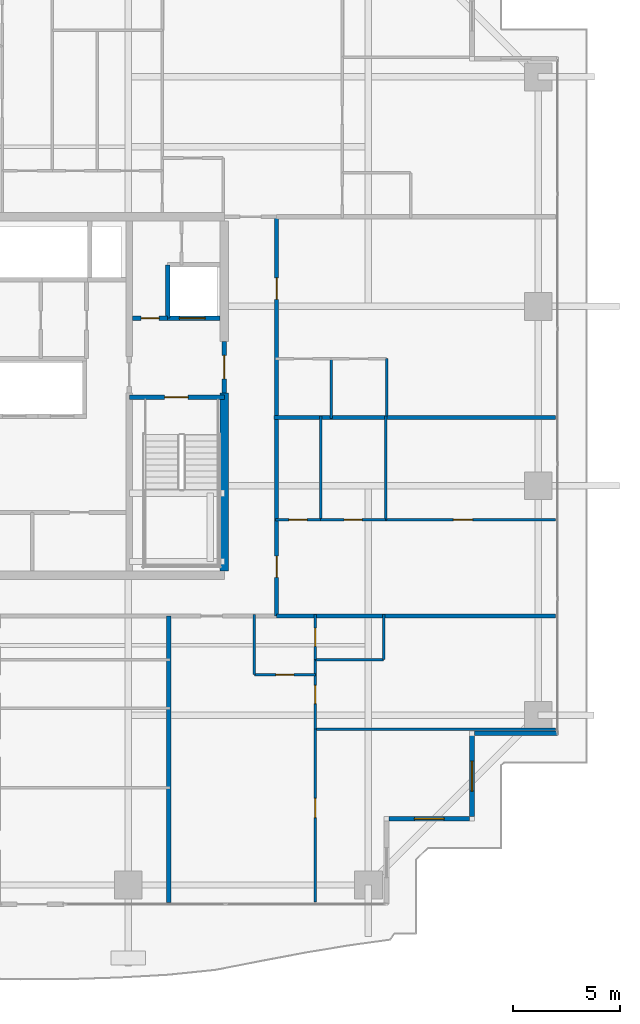
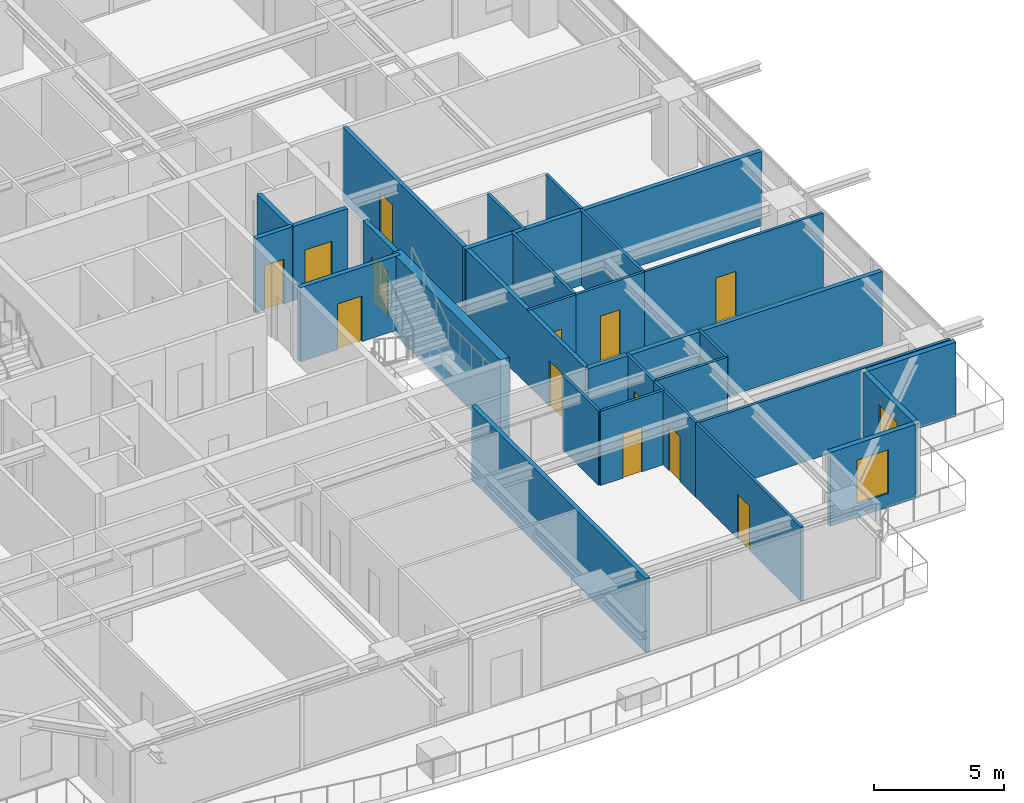
# One storey, part 25 of 35: 28 walls, 13 doors, 2 windows, 15 openings.
"""IFC4 building model written with IfcOpenShell, lengths in metres."""

import ifcopenshell
import ifcopenshell.guid

model = None  # the IFC model being written
_history = None  # IfcOwnerHistory: only IFC2X3 demands one
_inside = {}  # id of a spatial element -> (the spatial element, [elements in it])
_under = {}  # id of a project, library or spatial element -> (it, [spatial elements below it])
_declared = {}  # id of a project -> (the project, [libraries it declares])
_typed = {}  # id of a type object -> (the type object, [elements of that type])
_made_of = {}  # id of a material, layer set ... -> (it, [elements and type objects made of it])


def new_model(schema):
    """Start an empty IFC model of exactly this schema.

    Asked for "IFC4X3", IfcOpenShell would pick the latest addendum, in which some entities
    have other attributes; the version numbers below select the first issue.
    IFC2X3 requires an IfcOwnerHistory on every rooted entity: one is made here for all.
    """
    global model, _history
    if schema == "IFC4X3":
        model = ifcopenshell.file(schema_version=(4, 3, 0, 0))
    else:
        model = ifcopenshell.file(schema=schema)
    _inside.clear()
    _under.clear()
    _declared.clear()
    _typed.clear()
    _made_of.clear()
    _history = None
    if model.schema == "IFC2X3":
        org = make("IfcOrganization", Name="unknown")
        user = make(
            "IfcPersonAndOrganization",
            ThePerson=make("IfcPerson", FamilyName="unknown"),
            TheOrganization=org,
        )
        app = make(
            "IfcApplication",
            ApplicationDeveloper=org,
            Version="unknown",
            ApplicationFullName="unknown",
            ApplicationIdentifier="unknown",
        )
        _history = make(
            "IfcOwnerHistory",
            OwningUser=user,
            OwningApplication=app,
            ChangeAction="ADDED",
            CreationDate=0,
        )
    return model


def make(cls, **values):
    """One entity of the class cls with the attributes given. An attribute that is None is left unset."""
    return model.create_entity(
        cls, **{name: value for name, value in values.items() if value is not None}
    )


def rooted(cls, **values):
    """An entity with a GlobalId (a new one), such as an element, a storey or a relation."""
    return make(cls, GlobalId=ifcopenshell.guid.new(), OwnerHistory=_history, **values)


def si_unit(unit_type, name, prefix=None):
    """IfcSIUnit, for example si_unit("LENGTHUNIT", "METRE", prefix="MILLI")."""
    return make("IfcSIUnit", UnitType=unit_type, Prefix=prefix, Name=name)


def assignment(units):
    """IfcUnitAssignment: the units of a project."""
    return None if units is None else make("IfcUnitAssignment", Units=units)


def point(xyz):
    """IfcCartesianPoint."""
    return None if xyz is None else make("IfcCartesianPoint", Coordinates=xyz)


def direction(xyz):
    """IfcDirection."""
    return None if xyz is None else make("IfcDirection", DirectionRatios=xyz)


def frame(location, z_axis=None, x_axis=None):
    """IfcAxis2Placement3D, a coordinate frame: its origin and axes. An axis left out is left unset."""
    return make(
        "IfcAxis2Placement3D",
        Location=point(location),
        Axis=direction(z_axis),
        RefDirection=direction(x_axis),
    )


def frame_2d(location, x_axis=None):
    """IfcAxis2Placement2D, a coordinate frame in the plane: its origin and x axis."""
    return make(
        "IfcAxis2Placement2D", Location=point(location), RefDirection=direction(x_axis)
    )


def origin():
    """The frame at (0, 0, 0) with its axes left unset."""
    return frame((0.0, 0.0, 0.0))


def place(relative_to, where):
    """IfcLocalPlacement: puts the frame where relative to a parent placement (None: the world)."""
    return make(
        "IfcLocalPlacement", PlacementRelTo=relative_to, RelativePlacement=where
    )


def context(
    kind, dimensions, precision=None, world=None, true_north=None, identifier=None
):
    """IfcGeometricRepresentationContext, for example the 3D "Model" context."""
    return make(
        "IfcGeometricRepresentationContext",
        ContextIdentifier=identifier,
        ContextType=kind,
        CoordinateSpaceDimension=dimensions,
        Precision=precision,
        WorldCoordinateSystem=world,
        TrueNorth=true_north,
    )


def subcontext(parent, identifier, kind, view, scale=None):
    """IfcGeometricRepresentationSubContext, for example "Body" below "Model"."""
    return make(
        "IfcGeometricRepresentationSubContext",
        ContextIdentifier=identifier,
        ContextType=kind,
        ParentContext=parent,
        TargetScale=scale,
        TargetView=view,
    )


def project(units=None, contexts=None):
    """IfcProject with its units and contexts."""
    return rooted(
        "IfcProject",
        Name="project",
        RepresentationContexts=contexts,
        UnitsInContext=assignment(units),
    )


def spatial(cls, under=None, at=None, **own):
    """A site, building, storey or space (cls), placed at a placement, below another one or the project."""
    s = rooted(cls, ObjectPlacement=at, **own)
    if under is not None:
        _under.setdefault(under.id(), (under, []))[1].append(s)
    return s


def profile(cls, at=None, kind="AREA", **sizes):
    """A parametric profile (cls). Its sizes go by their IFC names, for example OverallWidth=200.0."""
    return make(cls, ProfileType=kind, Position=at, **sizes)


def rectangle(**sizes):
    """IfcRectangleProfileDef."""
    return profile("IfcRectangleProfileDef", **sizes)


def extrude(swept, where, along, depth):
    """IfcExtrudedAreaSolid: the profile swept, set in the frame where, extruded along a direction by depth."""
    return make(
        "IfcExtrudedAreaSolid",
        SweptArea=swept,
        Position=where,
        ExtrudedDirection=direction(along),
        Depth=depth,
    )


def shape(context_of_items, identifier, shape_type, items):
    """IfcShapeRepresentation: the items that make up one representation, for example the "Body"."""
    return make(
        "IfcShapeRepresentation",
        ContextOfItems=context_of_items,
        RepresentationIdentifier=identifier,
        RepresentationType=shape_type,
        Items=items,
    )


def source(mapping_origin, context_of_items, identifier, shape_type, items):
    """IfcRepresentationMap: a shape defined once, which mapped items show again and again."""
    return make(
        "IfcRepresentationMap",
        MappingOrigin=mapping_origin,
        MappedRepresentation=shape(context_of_items, identifier, shape_type, items),
    )


def transform(
    local_origin,
    x_axis=None,
    y_axis=None,
    z_axis=None,
    scale=None,
    scale2=None,
    scale3=None,
    uniform=True,
):
    """IfcCartesianTransformationOperator3D, or its non-uniform kind. x_axis, y_axis, z_axis: its Axis1, 2, 3."""
    if uniform:
        return make(
            "IfcCartesianTransformationOperator3D",
            Axis1=direction(x_axis),
            Axis2=direction(y_axis),
            LocalOrigin=point(local_origin),
            Scale=scale,
            Axis3=direction(z_axis),
        )
    return make(
        "IfcCartesianTransformationOperator3DnonUniform",
        Axis1=direction(x_axis),
        Axis2=direction(y_axis),
        LocalOrigin=point(local_origin),
        Scale=scale,
        Axis3=direction(z_axis),
        Scale2=scale2,
        Scale3=scale3,
    )


def mapped(mapping_source, mapping_target):
    """IfcMappedItem: shows the shape of a source again, moved by a transform."""
    return make(
        "IfcMappedItem", MappingSource=mapping_source, MappingTarget=mapping_target
    )


def material(Name=None, Category=None):
    """IfcMaterial."""
    return make("IfcMaterial", Name=Name, Category=Category)


def layer(
    of_material, thickness, ventilated=None, Name=None, Category=None, Priority=None
):
    """IfcMaterialLayer: one layer of a wall or slab, of a material (None: an air gap)."""
    return make(
        "IfcMaterialLayer",
        Material=of_material,
        LayerThickness=thickness,
        IsVentilated=ventilated,
        Name=Name,
        Category=Category,
        Priority=Priority,
    )


def layer_set(layers, Name=None):
    """IfcMaterialLayerSet."""
    return make("IfcMaterialLayerSet", MaterialLayers=layers, LayerSetName=Name)


def made_of(thing, what):
    """Note that an element or type object is made of a material, layer set ...; save() writes the relation."""
    if what is not None:
        _made_of.setdefault(what.id(), (what, []))[1].append(thing)
    return thing


def type_object(cls, material=None, **own):
    """A type object (cls), such as IfcWallType, which elements share."""
    return made_of(rooted(cls, **own), material)


def element(
    cls,
    number,
    at=None,
    inside=None,
    cuts=None,
    type_object=None,
    material=None,
    context=None,
    identifier="Body",
    shape_type=None,
    held_by="IfcProductDefinitionShape",
    body=None,
    shapes=None,
    **own,
):
    """One element of the class cls, such as IfcWall. Its Tag is "e" and its number.

    at: its placement. inside: the storey or other place that contains it. cuts: it is an
    opening in that element (IfcRelVoidsElement). A single representation is given by context,
    identifier, shape_type and body (its items); several are given by shapes. held_by: the class
    of the entity that holds the representations. save() writes the other relations.
    """
    e = rooted(cls, Tag="e%d" % number, ObjectPlacement=at, **own)
    if body is not None:
        shapes = [shape(context, identifier, shape_type, body)]
    if shapes is not None:
        e.Representation = make(held_by, Representations=shapes)
    if inside is not None:
        _inside.setdefault(inside.id(), (inside, []))[1].append(e)
    if cuts is not None:
        rooted(
            "IfcRelVoidsElement", RelatingBuildingElement=cuts, RelatedOpeningElement=e
        )
    if type_object is not None:
        _typed.setdefault(type_object.id(), (type_object, []))[1].append(e)
    return made_of(e, material)


def fill(opening, filler):
    """IfcRelFillsElement: the door or window that sits in an opening."""
    return rooted(
        "IfcRelFillsElement",
        RelatingOpeningElement=opening,
        RelatedBuildingElement=filler,
    )


def aggregate(whole, parts):
    """IfcRelAggregates: a whole, such as a stair, and the parts it consists of."""
    return rooted("IfcRelAggregates", RelatingObject=whole, RelatedObjects=parts)


def save(model, path):
    """Write the relations noted so far, then the file.

    IfcRelAggregates (storeys below a building ...), IfcRelContainedInSpatialStructure (elements
    in a storey), IfcRelDefinesByType, IfcRelAssociatesMaterial and IfcRelDeclares: one each for
    every whole, place, type object, material and project.
    """
    for whole, parts in _under.values():
        aggregate(whole, parts)
    for where, things in _inside.values():
        rooted(
            "IfcRelContainedInSpatialStructure",
            RelatedElements=things,
            RelatingStructure=where,
        )
    for kind, things in _typed.values():
        rooted("IfcRelDefinesByType", RelatedObjects=things, RelatingType=kind)
    for what, things in _made_of.values():
        rooted("IfcRelAssociatesMaterial", RelatedObjects=things, RelatingMaterial=what)
    for by, libraries in _declared.values():
        rooted("IfcRelDeclares", RelatingContext=by, RelatedDefinitions=libraries)
    model.write(path)


model = new_model("IFC4")

# Units and contexts
model_context = context("Model", 3, precision=1e-05, world=origin(), true_north=direction((0.0, 1.0)))
body_context = subcontext(model_context, "Body", "Model", "MODEL_VIEW")
ifc_project = project(units=[si_unit("LENGTHUNIT", "METRE"), si_unit("AREAUNIT", "SQUARE_METRE"), si_unit("VOLUMEUNIT", "CUBIC_METRE"), si_unit("PLANEANGLEUNIT", "RADIAN"), si_unit("MASSUNIT", "GRAM", prefix="KILO")], contexts=[model_context])

# Site, building, storey
site_placement = place(None, origin())
site = spatial("IfcSite", under=ifc_project, at=site_placement, CompositionType="ELEMENT")
building_placement = place(site_placement, origin())
building = spatial("IfcBuilding", under=site, at=building_placement, Name="Serunith Strait Residences", CompositionType="ELEMENT")
storey_placement = place(building_placement, frame((0.0, 0.0, 157.64990234375)))
storey = spatial("IfcBuildingStorey", under=building, at=storey_placement, Name="L39", CompositionType="ELEMENT", Elevation=157.64990234375)

# Wall, opening, window
ifc_material_1 = material(Name="Pale-Champagne Aluminium Insulated Panel", Category="aluminium")
ifc_layer_1 = layer(ifc_material_1, 0.219970703125, Name="Pale-Champagne Aluminium Insulated Panel")
ifc_layer_set_1 = layer_set([ifc_layer_1], Name="Pale-Champagne Aluminium Insulated Panel")
wall_type_1 = type_object("IfcWallType", Name="EW-ALUM-220", PredefinedType="ELEMENTEDWALL", material=ifc_layer_set_1)
wall_1_placement = place(storey_placement, frame((49.110107421875, 5.39990234375, 0.0), z_axis=(0.0, 0.0, 1.0), x_axis=(1.0, 0.0, 0.0)))
wall_1 = element("IfcWall", 1, at=wall_1_placement, inside=storey, type_object=wall_type_1, Name="L39 Girih Serrated Corner Wall 03", PredefinedType="ELEMENTEDWALL", context=body_context, shape_type="SweptSolid", body=[
    extrude(rectangle(XDim=3.77978515625, YDim=0.219970703125, at=frame_2d((1.889892578125, 0.0))), origin(), (0.0, 0.0, 1.0), 3.47509765625),
])
opening_1_placement = place(wall_1_placement, frame((1.18994140625, 0.0, 0.64990234375)))
opening_1 = element("IfcOpeningElement", 2, at=opening_1_placement, cuts=wall_1, Name="Opening W-03", PredefinedType="OPENING", context=body_context, shape_type="SweptSolid", body=[
    extrude(rectangle(XDim=1.39990234375, YDim=2.050048828125, at=frame_2d((0.699951171875, 1.02490234375))), frame((0.0, 0.1201171875, 0.0), z_axis=(0.0, -1.0, 0.0), x_axis=(1.0, 0.0, 0.0)), (0.0, 0.0, 1.0), 0.239990234375),
])
ifc_material_2 = material(Name="Ceramic-Fritted Operable Aluminium Window Glass", Category="aluminium")
window_type = type_object("IfcWindowType", Name="WIN-C3", PartitioningType="SINGLE_PANEL", PredefinedType="WINDOW", material=ifc_material_2)
shared_shape_1 = source(origin(), body_context, "Body", "SweptSolid", [
    extrude(rectangle(XDim=1.39990234375, YDim=2.050048828125, at=frame_2d((0.699951171875, 1.02490234375))), frame((0.0, 0.030029296875, 0.0), z_axis=(0.0, -1.0, 0.0), x_axis=(1.0, 0.0, 0.0)), (0.0, 0.0, 1.0), 0.06005859375),
])
window_1_placement = place(opening_1_placement, origin())
window_1 = element("IfcWindow", 3, at=window_1_placement, inside=storey, type_object=window_type, Name="L39 Corner Operable Fritted Window 03", OverallHeight=2.050048828125, OverallWidth=1.39990234375, PartitioningType="SINGLE_PANEL", PredefinedType="WINDOW", context=body_context, shape_type="MappedRepresentation", body=[
    mapped(shared_shape_1, transform((0.0, 0.0, 0.0), scale=1.0)),
])
fill(opening_1, window_1)

wall_2_placement = place(storey_placement, frame((53.0, 5.510009765625, 0.0), z_axis=(0.0, 0.0, 1.0), x_axis=(0.0, 1.0, 0.0)))
wall_2 = element("IfcWall", 4, at=wall_2_placement, inside=storey, type_object=wall_type_1, Name="L39 Girih Serrated Corner Wall 04", PredefinedType="ELEMENTEDWALL", context=body_context, shape_type="SweptSolid", body=[
    extrude(rectangle(XDim=3.780029296875, YDim=0.219970703125, at=frame_2d((1.89013671875, 0.0))), origin(), (0.0, 0.0, 1.0), 3.47509765625),
])
opening_2_placement = place(wall_2_placement, frame((1.18994140625, 0.0, 0.64990234375)))
opening_2 = element("IfcOpeningElement", 5, at=opening_2_placement, cuts=wall_2, Name="Opening W-03", PredefinedType="OPENING", context=body_context, shape_type="SweptSolid", body=[
    extrude(rectangle(XDim=1.39990234375, YDim=2.050048828125, at=frame_2d((0.699951171875, 1.02490234375))), frame((0.0, 0.1201171875, 0.0), z_axis=(0.0, -1.0, 0.0), x_axis=(1.0, 0.0, 0.0)), (0.0, 0.0, 1.0), 0.239990234375),
])
window_2_placement = place(opening_2_placement, origin())
window_2 = element("IfcWindow", 6, at=window_2_placement, inside=storey, type_object=window_type, Name="L39 Corner Operable Fritted Window 04", OverallHeight=2.050048828125, OverallWidth=1.39990234375, PartitioningType="SINGLE_PANEL", PredefinedType="WINDOW", context=body_context, shape_type="MappedRepresentation", body=[
    mapped(shared_shape_1, transform((0.0, 0.0, 0.0), scale=1.0)),
])
fill(opening_2, window_2)

# Wall
wall_3_placement = place(storey_placement, frame((53.110107421875, 9.39990234375, 0.0), z_axis=(0.0, 0.0, 1.0), x_axis=(1.0, 0.0, 0.0)))
element("IfcWall", 7, at=wall_3_placement, inside=storey, type_object=wall_type_1, Name="L39 Girih Serrated Corner Wall 05", PredefinedType="ELEMENTEDWALL", context=body_context, shape_type="SweptSolid", body=[
    extrude(rectangle(XDim=3.889892578125, YDim=0.219970703125, at=frame_2d((1.94482421875, 0.0))), origin(), (0.0, 0.0, 1.0), 3.47509765625),
])

# Wall, openings, doors
ifc_material_3 = material(Name="Fire-rated acoustic gypsum partition")
ifc_layer_2 = layer(ifc_material_3, 0.179931640625, Name="Fire-rated acoustic gypsum partition")
ifc_layer_set_2 = layer_set([ifc_layer_2], Name="Fire-rated acoustic gypsum partition")
wall_type_2 = type_object("IfcWallType", Name="IW-CORR-180", PredefinedType="PARTITIONING", material=ifc_layer_set_2)
wall_4_placement = place(storey_placement, frame((43.85009765625, 14.89990234375, 0.0), z_axis=(0.0, 0.0, 1.0), x_axis=(0.0, 1.0, 0.0)))
wall_4 = element("IfcWall", 8, at=wall_4_placement, inside=storey, type_object=wall_type_2, Name="L39 Partition Wall 029", PredefinedType="PARTITIONING", context=body_context, shape_type="SweptSolid", body=[
    extrude(rectangle(XDim=18.7001953125, YDim=0.179931640625, at=frame_2d((9.35009765625, 0.0))), origin(), (0.0, 0.0, 1.0), 3.489990234375),
])
opening_3_placement = place(wall_4_placement, frame((1.804931640625, 0.0, 0.0)))
opening_3 = element("IfcOpeningElement", 9, at=opening_3_placement, cuts=wall_4, Name="Opening D-APT1000", PredefinedType="OPENING", context=body_context, shape_type="SweptSolid", body=[
    extrude(rectangle(XDim=1.0, YDim=2.14990234375, at=frame_2d((0.5, 1.074951171875))), frame((0.0, 0.10009765625, 0.0), z_axis=(0.0, -1.0, 0.0), x_axis=(1.0, 0.0, 0.0)), (0.0, 0.0, 1.0), 0.199951171875),
])
opening_4_placement = place(wall_4_placement, frame((14.8330078125, 0.0, 0.0)))
opening_4 = element("IfcOpeningElement", 10, at=opening_4_placement, cuts=wall_4, Name="Opening D-APT1000", PredefinedType="OPENING", context=body_context, shape_type="SweptSolid", body=[
    extrude(rectangle(XDim=1.0, YDim=2.14990234375, at=frame_2d((0.5, 1.074951171875))), frame((0.0, 0.10009765625, 0.0), z_axis=(0.0, -1.0, 0.0), x_axis=(1.0, 0.0, 0.0)), (0.0, 0.0, 1.0), 0.199951171875),
])
ifc_material_4 = material(Name="Solid timber engineered fire door", Category="wood")
door_type_1 = type_object("IfcDoorType", Name="ID-APT-1000", OperationType="NOTDEFINED", PredefinedType="DOOR", material=ifc_material_4)
shared_shape_2 = source(origin(), body_context, "Body", "SweptSolid", [
    extrude(rectangle(XDim=1.0, YDim=2.14990234375, at=frame_2d((0.5, 1.074951171875))), frame((0.0, 0.02490234375, 0.0), z_axis=(0.0, -1.0, 0.0), x_axis=(1.0, 0.0, 0.0)), (0.0, 0.0, 1.0), 0.050048828125),
])
door_1_placement = place(opening_3_placement, origin())
door_1 = element("IfcDoor", 11, at=door_1_placement, inside=storey, type_object=door_type_1, Name="L39 Unit 06 Entrance Door", OperationType="SINGLE_SWING_RIGHT", OverallHeight=2.14990234375, OverallWidth=1.0, PredefinedType="DOOR", context=body_context, shape_type="MappedRepresentation", body=[
    mapped(shared_shape_2, transform((0.0, 0.0, 0.0), scale=1.0)),
])
fill(opening_3, door_1)
door_2_placement = place(opening_4_placement, origin())
door_2 = element("IfcDoor", 12, at=door_2_placement, inside=storey, type_object=door_type_1, Name="L39 Unit 07 Entrance Door", OperationType="SINGLE_SWING_LEFT", OverallHeight=2.14990234375, OverallWidth=1.0, PredefinedType="DOOR", context=body_context, shape_type="MappedRepresentation", body=[
    mapped(shared_shape_2, transform((0.0, 0.0, 0.0), scale=1.0)),
])
fill(opening_4, door_2)

# Wall, opening, door
ifc_material_5 = material(Name="Lightweight steel-stud gypsum partition", Category="steel")
ifc_layer_3 = layer(ifc_material_5, 0.1201171875, Name="Lightweight steel-stud gypsum partition")
ifc_layer_set_3 = layer_set([ifc_layer_3], Name="Lightweight steel-stud gypsum partition")
wall_type_3 = type_object("IfcWallType", Name="IW-PART-120", PredefinedType="PARTITIONING", material=ifc_layer_set_3)
wall_5_placement = place(storey_placement, frame((42.81005859375, 12.14990234375, 0.0), z_axis=(0.0, 0.0, 1.0), x_axis=(1.0, 0.0, 0.0)))
wall_5 = element("IfcWall", 13, at=wall_5_placement, inside=storey, type_object=wall_type_3, Name="L39 Partition Wall 047", PredefinedType="PARTITIONING", context=body_context, shape_type="SweptSolid", body=[
    extrude(rectangle(XDim=2.849853515625, YDim=0.1201171875, at=frame_2d((1.4248046875, 0.0))), origin(), (0.0, 0.0, 1.0), 3.489990234375),
])
opening_5_placement = place(wall_5_placement, frame((1.0, 0.0, 0.0)))
opening_5 = element("IfcOpeningElement", 14, at=opening_5_placement, cuts=wall_5, Name="Opening D-RM850", PredefinedType="OPENING", context=body_context, shape_type="SweptSolid", body=[
    extrude(rectangle(XDim=0.85009765625, YDim=2.10009765625, at=frame_2d((0.425048828125, 1.050048828125))), frame((0.0, 0.070068359375, 0.0), z_axis=(0.0, -1.0, 0.0), x_axis=(1.0, 0.0, 0.0)), (0.0, 0.0, 1.0), 0.14013671875),
])
ifc_material_6 = material(Name="Engineered timber flush study and kitchen door", Category="wood")
door_type_2 = type_object("IfcDoorType", Name="ID-ROOM-850", OperationType="NOTDEFINED", PredefinedType="DOOR", material=ifc_material_6)
shared_shape_3 = source(origin(), body_context, "Body", "SweptSolid", [
    extrude(rectangle(XDim=0.85009765625, YDim=2.10009765625, at=frame_2d((0.425048828125, 1.050048828125))), frame((0.0, 0.02490234375, 0.0), z_axis=(0.0, -1.0, 0.0), x_axis=(1.0, 0.0, 0.0)), (0.0, 0.0, 1.0), 0.050048828125),
])
door_3_placement = place(opening_5_placement, origin())
door_3 = element("IfcDoor", 15, at=door_3_placement, inside=storey, type_object=door_type_2, Name="L39 Kitchen 3903 Door", OperationType="SINGLE_SWING_LEFT", OverallHeight=2.10009765625, OverallWidth=0.85009765625, PredefinedType="DOOR", context=body_context, shape_type="MappedRepresentation", body=[
    mapped(shared_shape_3, transform((0.0, 0.0, 0.0), scale=1.0)),
])
fill(opening_5, door_3)

# Wall
wall_6_placement = place(storey_placement, frame((42.81005859375, 12.14990234375, 0.0), z_axis=(0.0, 0.0, 1.0), x_axis=(0.0, 1.0, 0.0)))
element("IfcWall", 16, at=wall_6_placement, inside=storey, type_object=wall_type_3, Name="L39 Partition Wall 048", PredefinedType="PARTITIONING", context=body_context, shape_type="SweptSolid", body=[
    extrude(rectangle(XDim=2.81005859375, YDim=0.1201171875, at=frame_2d((1.405029296875, 0.0))), origin(), (0.0, 0.0, 1.0), 3.489990234375),
])

# Wall, opening, door
wall_7_placement = place(storey_placement, frame((45.659912109375, 1.4951171875, 0.0), z_axis=(0.0, 0.0, 1.0), x_axis=(0.0, 1.0, 0.0)))
wall_7 = element("IfcWall", 17, at=wall_7_placement, inside=storey, type_object=wall_type_3, Name="L39 Partition Wall 049", PredefinedType="PARTITIONING", context=body_context, shape_type="SweptSolid", body=[
    extrude(rectangle(XDim=8.102783203125, YDim=0.1201171875, at=frame_2d((4.05126953125, 0.0))), origin(), (0.0, 0.0, 1.0), 3.489990234375),
])
opening_6_placement = place(wall_7_placement, frame((3.9619140625, 0.0, 0.0)))
opening_6 = element("IfcOpeningElement", 18, at=opening_6_placement, cuts=wall_7, Name="Opening D-RM900", PredefinedType="OPENING", context=body_context, shape_type="SweptSolid", body=[
    extrude(rectangle(XDim=0.89990234375, YDim=2.10009765625, at=frame_2d((0.449951171875, 1.050048828125))), frame((0.0, 0.070068359375, 0.0), z_axis=(0.0, -1.0, 0.0), x_axis=(1.0, 0.0, 0.0)), (0.0, 0.0, 1.0), 0.14013671875),
])
ifc_material_7 = material(Name="Engineered timber flush bedroom door", Category="wood")
door_type_3 = type_object("IfcDoorType", Name="ID-ROOM-900", OperationType="NOTDEFINED", PredefinedType="DOOR", material=ifc_material_7)
shared_shape_4 = source(origin(), body_context, "Body", "SweptSolid", [
    extrude(rectangle(XDim=0.89990234375, YDim=2.10009765625, at=frame_2d((0.449951171875, 1.050048828125))), frame((0.0, 0.02490234375, 0.0), z_axis=(0.0, -1.0, 0.0), x_axis=(1.0, 0.0, 0.0)), (0.0, 0.0, 1.0), 0.050048828125),
])
door_4_placement = place(opening_6_placement, origin())
door_4 = element("IfcDoor", 19, at=door_4_placement, inside=storey, type_object=door_type_3, Name="L39 Master Bedroom 1 3903 Door", OperationType="SINGLE_SWING_RIGHT", OverallHeight=2.10009765625, OverallWidth=0.89990234375, PredefinedType="DOOR", context=body_context, shape_type="MappedRepresentation", body=[
    mapped(shared_shape_4, transform((0.0, 0.0, 0.0), scale=1.0)),
])
fill(opening_6, door_4)

# Walls
wall_8_placement = place(storey_placement, frame((45.659912109375, 9.597900390625, 0.0), z_axis=(0.0, 0.0, 1.0), x_axis=(1.0, 0.0, 0.0)))
element("IfcWall", 20, at=wall_8_placement, inside=storey, type_object=wall_type_3, Name="L39 Partition Wall 050", PredefinedType="PARTITIONING", context=body_context, shape_type="SweptSolid", body=[
    extrude(rectangle(XDim=11.2451171875, YDim=0.1201171875, at=frame_2d((5.62255859375, 0.0))), origin(), (0.0, 0.0, 1.0), 3.489990234375),
])
wall_9_placement = place(storey_placement, frame((45.659912109375, 12.85009765625, 0.0), z_axis=(0.0, 0.0, 1.0), x_axis=(1.0, 0.0, 0.0)))
element("IfcWall", 21, at=wall_9_placement, inside=storey, type_object=wall_type_3, Name="L39 Partition Wall 051", PredefinedType="PARTITIONING", context=body_context, shape_type="SweptSolid", body=[
    extrude(rectangle(XDim=3.2001953125, YDim=0.1201171875, at=frame_2d((1.60009765625, 0.0))), origin(), (0.0, 0.0, 1.0), 3.489990234375),
])
wall_10_placement = place(storey_placement, frame((48.860107421875, 12.85009765625, 0.0), z_axis=(0.0, 0.0, 1.0), x_axis=(0.0, 1.0, 0.0)))
element("IfcWall", 22, at=wall_10_placement, inside=storey, type_object=wall_type_3, Name="L39 Partition Wall 052", PredefinedType="PARTITIONING", context=body_context, shape_type="SweptSolid", body=[
    extrude(rectangle(XDim=2.10986328125, YDim=0.1201171875, at=frame_2d((1.054931640625, 0.0))), origin(), (0.0, 0.0, 1.0), 3.489990234375),
])

# Wall, opening, door
wall_11_placement = place(storey_placement, frame((45.659912109375, 9.60009765625, 0.0), z_axis=(0.0, 0.0, 1.0), x_axis=(0.0, 1.0, 0.0)))
wall_11 = element("IfcWall", 23, at=wall_11_placement, inside=storey, type_object=wall_type_3, Name="L39 Partition Wall 053", PredefinedType="PARTITIONING", context=body_context, shape_type="SweptSolid", body=[
    extrude(rectangle(XDim=3.25, YDim=0.1201171875, at=frame_2d((1.625, 0.0))), origin(), (0.0, 0.0, 1.0), 3.489990234375),
])
opening_7_placement = place(wall_11_placement, frame((1.199951171875, 0.0, 0.0)))
opening_7 = element("IfcOpeningElement", 24, at=opening_7_placement, cuts=wall_11, Name="Opening D-RM850", PredefinedType="OPENING", context=body_context, shape_type="SweptSolid", body=[
    extrude(rectangle(XDim=0.85009765625, YDim=2.10009765625, at=frame_2d((0.425048828125, 1.050048828125))), frame((0.0, 0.070068359375, 0.0), z_axis=(0.0, -1.0, 0.0), x_axis=(1.0, 0.0, 0.0)), (0.0, 0.0, 1.0), 0.14013671875),
])
door_5_placement = place(opening_7_placement, origin())
door_5 = element("IfcDoor", 25, at=door_5_placement, inside=storey, type_object=door_type_2, Name="L39 Walk-in Wardrobe 3903 Door", OperationType="SINGLE_SWING_LEFT", OverallHeight=2.10009765625, OverallWidth=0.85009765625, PredefinedType="DOOR", context=body_context, shape_type="MappedRepresentation", body=[
    mapped(shared_shape_3, transform((0.0, 0.0, 0.0), scale=1.0)),
])
fill(opening_7, door_5)

wall_12_placement = place(storey_placement, frame((45.659912109375, 12.85205078125, 0.0), z_axis=(0.0, 0.0, 1.0), x_axis=(0.0, 1.0, 0.0)))
wall_12 = element("IfcWall", 26, at=wall_12_placement, inside=storey, type_object=wall_type_3, Name="L39 Partition Wall 054", PredefinedType="PARTITIONING", context=body_context, shape_type="SweptSolid", body=[
    extrude(rectangle(XDim=2.10791015625, YDim=0.1201171875, at=frame_2d((1.053955078125, 0.0))), origin(), (0.0, 0.0, 1.0), 3.489990234375),
])
opening_8_placement = place(wall_12_placement, frame((0.62890625, 0.0, 0.0)))
opening_8 = element("IfcOpeningElement", 27, at=opening_8_placement, cuts=wall_12, Name="Opening D-BTH850", PredefinedType="OPENING", context=body_context, shape_type="SweptSolid", body=[
    extrude(rectangle(XDim=0.85009765625, YDim=2.10009765625, at=frame_2d((0.425048828125, 1.050048828125))), frame((0.0, 0.070068359375, 0.0), z_axis=(0.0, -1.0, 0.0), x_axis=(1.0, 0.0, 0.0)), (0.0, 0.0, 1.0), 0.14013671875),
])
ifc_material_8 = material(Name="Moisture-resistant timber bathroom door", Category="wood")
door_type_4 = type_object("IfcDoorType", Name="ID-BATH-850", OperationType="NOTDEFINED", PredefinedType="DOOR", material=ifc_material_8)
door_6_placement = place(opening_8_placement, origin())
door_6 = element("IfcDoor", 28, at=door_6_placement, inside=storey, type_object=door_type_4, Name="L39 Bathroom 3903 Door", OperationType="SINGLE_SWING_RIGHT", OverallHeight=2.10009765625, OverallWidth=0.85009765625, PredefinedType="DOOR", context=body_context, shape_type="MappedRepresentation", body=[
    mapped(shared_shape_3, transform((0.0, 0.0, 0.0), scale=1.0)),
])
fill(opening_8, door_6)

wall_13_placement = place(storey_placement, frame((56.905029296875, 19.39990234375, 0.0), z_axis=(0.0, 0.0, 1.0), x_axis=(-1.0, 0.0, 0.0)))
wall_13 = element("IfcWall", 29, at=wall_13_placement, inside=storey, type_object=wall_type_3, Name="L39 Partition Wall 086", PredefinedType="PARTITIONING", context=body_context, shape_type="SweptSolid", body=[
    extrude(rectangle(XDim=7.950927734375, YDim=0.1201171875, at=frame_2d((3.9755859375, 0.0))), origin(), (0.0, 0.0, 1.0), 3.489990234375),
])
opening_9_placement = place(wall_13_placement, frame((3.8779296875, 0.0, 0.0)))
opening_9 = element("IfcOpeningElement", 30, at=opening_9_placement, cuts=wall_13, Name="Opening D-RM900", PredefinedType="OPENING", context=body_context, shape_type="SweptSolid", body=[
    extrude(rectangle(XDim=0.89990234375, YDim=2.10009765625, at=frame_2d((0.449951171875, 1.050048828125))), frame((0.0, 0.070068359375, 0.0), z_axis=(0.0, -1.0, 0.0), x_axis=(1.0, 0.0, 0.0)), (0.0, 0.0, 1.0), 0.14013671875),
])
door_7_placement = place(opening_9_placement, origin())
door_7 = element("IfcDoor", 31, at=door_7_placement, inside=storey, type_object=door_type_3, Name="L39 Master Bedroom 1 3906 Door", OperationType="SINGLE_SWING_RIGHT", OverallHeight=2.10009765625, OverallWidth=0.89990234375, PredefinedType="DOOR", context=body_context, shape_type="MappedRepresentation", body=[
    mapped(shared_shape_4, transform((0.0, 0.0, 0.0), scale=1.0)),
])
fill(opening_9, door_7)

# Walls
for number, where, z_axis, x_axis, name in (
    (32, (48.9541015625, 19.39990234375, 0.0), (0.0, 0.0, 1.0), (0.0, 1.0, 0.0), "L39 Partition Wall 087"),
    (33, (45.9130859375, 19.39990234375, 0.0), (0.0, 0.0, 1.0), (0.0, 1.0, 0.0), "L39 Partition Wall 088"),
):
    element("IfcWall", number, at=place(storey_placement, frame(where, z_axis=z_axis, x_axis=x_axis)), inside=storey, type_object=wall_type_3, Name=name, PredefinedType="PARTITIONING", context=body_context, shape_type="SweptSolid", body=[
        extrude(rectangle(XDim=4.860107421875, YDim=0.1201171875, at=frame_2d((2.43017578125, 0.0))), origin(), (0.0, 0.0, 1.0), 3.489990234375),
    ])

# Wall, opening, door
wall_14_placement = place(storey_placement, frame((48.951904296875, 19.39990234375, 0.0), z_axis=(0.0, 0.0, 1.0), x_axis=(-1.0, 0.0, 0.0)))
wall_14 = element("IfcWall", 34, at=wall_14_placement, inside=storey, type_object=wall_type_3, Name="L39 Partition Wall 089", PredefinedType="PARTITIONING", context=body_context, shape_type="SweptSolid", body=[
    extrude(rectangle(XDim=3.038818359375, YDim=0.1201171875, at=frame_2d((1.51953125, 0.0))), origin(), (0.0, 0.0, 1.0), 3.489990234375),
])
opening_10_placement = place(wall_14_placement, frame((1.094970703125, 0.0, 0.0)))
opening_10 = element("IfcOpeningElement", 35, at=opening_10_placement, cuts=wall_14, Name="Opening D-RM850", PredefinedType="OPENING", context=body_context, shape_type="SweptSolid", body=[
    extrude(rectangle(XDim=0.85009765625, YDim=2.10009765625, at=frame_2d((0.425048828125, 1.050048828125))), frame((0.0, 0.070068359375, 0.0), z_axis=(0.0, -1.0, 0.0), x_axis=(1.0, 0.0, 0.0)), (0.0, 0.0, 1.0), 0.14013671875),
])
door_8_placement = place(opening_10_placement, origin())
door_8 = element("IfcDoor", 36, at=door_8_placement, inside=storey, type_object=door_type_2, Name="L39 Kitchen 3906 Door", OperationType="SINGLE_SWING_LEFT", OverallHeight=2.10009765625, OverallWidth=0.85009765625, PredefinedType="DOOR", context=body_context, shape_type="MappedRepresentation", body=[
    mapped(shared_shape_3, transform((0.0, 0.0, 0.0), scale=1.0)),
])
fill(opening_10, door_8)

wall_15_placement = place(storey_placement, frame((45.910888671875, 19.39990234375, 0.0), z_axis=(0.0, 0.0, 1.0), x_axis=(-1.0, 0.0, 0.0)))
wall_15 = element("IfcWall", 37, at=wall_15_placement, inside=storey, type_object=wall_type_3, Name="L39 Partition Wall 090", PredefinedType="PARTITIONING", context=body_context, shape_type="SweptSolid", body=[
    extrude(rectangle(XDim=2.120849609375, YDim=0.1201171875, at=frame_2d((1.060546875, 0.0))), origin(), (0.0, 0.0, 1.0), 3.489990234375),
])
opening_11_placement = place(wall_15_placement, frame((0.635986328125, 0.0, 0.0)))
opening_11 = element("IfcOpeningElement", 38, at=opening_11_placement, cuts=wall_15, Name="Opening D-BTH850", PredefinedType="OPENING", context=body_context, shape_type="SweptSolid", body=[
    extrude(rectangle(XDim=0.85009765625, YDim=2.10009765625, at=frame_2d((0.425048828125, 1.050048828125))), frame((0.0, 0.070068359375, 0.0), z_axis=(0.0, -1.0, 0.0), x_axis=(1.0, 0.0, 0.0)), (0.0, 0.0, 1.0), 0.14013671875),
])
door_9_placement = place(opening_11_placement, origin())
door_9 = element("IfcDoor", 39, at=door_9_placement, inside=storey, type_object=door_type_4, Name="L39 Bathroom 3906 Door", OperationType="SINGLE_SWING_RIGHT", OverallHeight=2.10009765625, OverallWidth=0.85009765625, PredefinedType="DOOR", context=body_context, shape_type="MappedRepresentation", body=[
    mapped(shared_shape_3, transform((0.0, 0.0, 0.0), scale=1.0)),
])
fill(opening_11, door_9)

# Walls
wall_16_placement = place(storey_placement, frame((46.39990234375, 24.139892578125, 0.0), z_axis=(0.0, 0.0, 1.0), x_axis=(0.0, 1.0, 0.0)))
element("IfcWall", 40, at=wall_16_placement, inside=storey, type_object=wall_type_3, Name="L39 Partition Wall 093", PredefinedType="PARTITIONING", context=body_context, shape_type="SweptSolid", body=[
    extrude(rectangle(XDim=2.81005859375, YDim=0.1201171875, at=frame_2d((1.405029296875, 0.0))), origin(), (0.0, 0.0, 1.0), 3.489990234375),
])
wall_17_placement = place(storey_placement, frame((49.0, 24.261962890625, 0.0), z_axis=(0.0, 0.0, 1.0), x_axis=(0.0, 1.0, 0.0)))
element("IfcWall", 41, at=wall_17_placement, inside=storey, type_object=wall_type_3, Name="L39 Partition Wall 094", PredefinedType="PARTITIONING", context=body_context, shape_type="SweptSolid", body=[
    extrude(rectangle(XDim=2.68798828125, YDim=0.1201171875, at=frame_2d((1.343994140625, 0.0))), origin(), (0.0, 0.0, 1.0), 3.489990234375),
])
ifc_material_9 = material(Name="Twin-stud acoustic gypsum board partition")
ifc_layer_4 = layer(ifc_material_9, 0.199951171875, Name="Twin-stud acoustic gypsum board partition")
ifc_layer_set_4 = layer_set([ifc_layer_4], Name="Twin-stud acoustic gypsum board partition")
wall_type_4 = type_object("IfcWallType", Name="IW-PARTY-200", PredefinedType="PARTITIONING", material=ifc_layer_set_4)
wall_18_placement = place(storey_placement, frame((38.800048828125, 1.48193359375, 0.0), z_axis=(0.0, 0.0, 1.0), x_axis=(0.0, 1.0, 0.0)))
element("IfcWall", 42, at=wall_18_placement, inside=storey, type_object=wall_type_4, Name="L39 Partition Wall 021", PredefinedType="PARTITIONING", context=body_context, shape_type="SweptSolid", body=[
    extrude(rectangle(XDim=13.41796875, YDim=0.199951171875, at=frame_2d((6.708984375, 0.0))), origin(), (0.0, 0.0, 1.0), 3.489990234375),
])
wall_19_placement = place(storey_placement, frame((43.72998046875, 24.199951171875, 0.0), z_axis=(0.0, 0.0, 1.0), x_axis=(1.0, 0.0, 0.0)))
element("IfcWall", 43, at=wall_19_placement, inside=storey, type_object=wall_type_4, Name="L39 Partition Wall 022", PredefinedType="PARTITIONING", context=body_context, shape_type="SweptSolid", body=[
    extrude(rectangle(XDim=13.18798828125, YDim=0.199951171875, at=frame_2d((6.593994140625, 0.0))), origin(), (0.0, 0.0, 1.0), 3.489990234375),
])
wall_20_placement = place(storey_placement, frame((43.85009765625, 14.89990234375, 0.0), z_axis=(0.0, 0.0, 1.0), x_axis=(1.0, 0.0, 0.0)))
element("IfcWall", 44, at=wall_20_placement, inside=storey, type_object=wall_type_4, Name="L39 Partition Wall 024", PredefinedType="PARTITIONING", context=body_context, shape_type="SweptSolid", body=[
    extrude(rectangle(XDim=13.06787109375, YDim=0.199951171875, at=frame_2d((6.533935546875, 0.0))), origin(), (0.0, 0.0, 1.0), 3.489990234375),
])

# Wall, opening, door
ifc_material_10 = material(Name="Autoclaved aerated concrete blockwork", Category="masonry")
ifc_layer_5 = layer(ifc_material_10, 0.199951171875, Name="Autoclaved aerated concrete blockwork")
ifc_layer_set_5 = layer_set([ifc_layer_5], Name="Autoclaved aerated concrete blockwork")
wall_type_5 = type_object("IfcWallType", Name="IW-SHAFT-200", PredefinedType="STANDARD", material=ifc_layer_set_5)
wall_21_placement = place(storey_placement, frame((36.949951171875, 25.14990234375, 0.0), z_axis=(0.0, 0.0, 1.0), x_axis=(1.0, 0.0, 0.0)))
wall_21 = element("IfcWall", 45, at=wall_21_placement, inside=storey, type_object=wall_type_5, Name="L39 ST-2 North Shaft Wall", PredefinedType="STANDARD", context=body_context, shape_type="SweptSolid", body=[
    extrude(rectangle(XDim=4.449951171875, YDim=0.199951171875, at=frame_2d((2.22509765625, 0.0))), origin(), (0.0, 0.0, 1.0), 3.489990234375),
])
opening_12_placement = place(wall_21_placement, frame((1.64990234375, 0.0, 0.0)))
opening_12 = element("IfcOpeningElement", 46, at=opening_12_placement, cuts=wall_21, Name="Opening FD-1100", PredefinedType="OPENING", context=body_context, shape_type="SweptSolid", body=[
    extrude(rectangle(XDim=1.10009765625, YDim=2.14990234375, at=frame_2d((0.550048828125, 1.074951171875))), frame((0.0, 0.10986328125, 0.0), z_axis=(0.0, -1.0, 0.0), x_axis=(1.0, 0.0, 0.0)), (0.0, 0.0, 1.0), 0.219970703125),
])
ifc_material_11 = material(Name="Galvanised steel fire door leaf", Category="steel")
door_type_5 = type_object("IfcDoorType", Name="FD-STAIR-1100", OperationType="NOTDEFINED", PredefinedType="DOOR", material=ifc_material_11)
shared_shape_5 = source(origin(), body_context, "Body", "SweptSolid", [
    extrude(rectangle(XDim=1.10009765625, YDim=2.14990234375, at=frame_2d((0.550048828125, 1.074951171875))), frame((0.0, 0.02490234375, 0.0), z_axis=(0.0, -1.0, 0.0), x_axis=(1.0, 0.0, 0.0)), (0.0, 0.0, 1.0), 0.050048828125),
])
door_10_placement = place(opening_12_placement, origin())
door_10 = element("IfcDoor", 47, at=door_10_placement, inside=storey, type_object=door_type_5, Name="L39 ST-2 Escape Stair Door", OperationType="SINGLE_SWING_RIGHT", OverallHeight=2.14990234375, OverallWidth=1.10009765625, PredefinedType="DOOR", context=body_context, shape_type="MappedRepresentation", body=[
    mapped(shared_shape_5, transform((0.0, 0.0, 0.0), scale=1.0)),
])
fill(opening_12, door_10)

wall_22_placement = place(storey_placement, frame((38.75, 28.85009765625, 0.0), z_axis=(0.0, 0.0, 1.0), x_axis=(1.0, 0.0, 0.0)))
wall_22 = element("IfcWall", 48, at=wall_22_placement, inside=storey, type_object=wall_type_5, Name="L39 FL-2 South Shaft Wall", PredefinedType="STANDARD", context=body_context, shape_type="SweptSolid", body=[
    extrude(rectangle(XDim=2.449951171875, YDim=0.199951171875, at=frame_2d((1.22509765625, 0.0))), origin(), (0.0, 0.0, 1.0), 3.489990234375),
])
opening_13_placement = place(wall_22_placement, frame((0.550048828125, 0.0, 0.0)))
opening_13 = element("IfcOpeningElement", 49, at=opening_13_placement, cuts=wall_22, Name="Opening LD-FF1200", PredefinedType="OPENING", context=body_context, shape_type="SweptSolid", body=[
    extrude(rectangle(XDim=1.199951171875, YDim=2.199951171875, at=frame_2d((0.60009765625, 1.10009765625))), frame((0.0, 0.10986328125, 0.0), z_axis=(0.0, -1.0, 0.0), x_axis=(1.0, 0.0, 0.0)), (0.0, 0.0, 1.0), 0.219970703125),
])
ifc_material_12 = material(Name="Brushed stainless steel landing door", Category="steel")
door_type_6 = type_object("IfcDoorType", Name="LD-FF-1200", OperationType="DOUBLE_DOOR_SLIDING", PredefinedType="DOOR", material=ifc_material_12)
shared_shape_6 = source(origin(), body_context, "Body", "SweptSolid", [
    extrude(rectangle(XDim=1.199951171875, YDim=2.199951171875, at=frame_2d((0.60009765625, 1.10009765625))), frame((0.0, 0.02490234375, 0.0), z_axis=(0.0, -1.0, 0.0), x_axis=(1.0, 0.0, 0.0)), (0.0, 0.0, 1.0), 0.050048828125),
])
door_11_placement = place(opening_13_placement, origin())
door_11 = element("IfcDoor", 50, at=door_11_placement, inside=storey, type_object=door_type_6, Name="L39 FL-2 Landing Door", OperationType="DOUBLE_DOOR_SLIDING", OverallHeight=2.199951171875, OverallWidth=1.199951171875, PredefinedType="DOOR", context=body_context, shape_type="MappedRepresentation", body=[
    mapped(shared_shape_6, transform((0.0, 0.0, 0.0), scale=1.0)),
])
fill(opening_13, door_11)

# Wall
wall_23_placement = place(storey_placement, frame((38.75, 28.85009765625, 0.0), z_axis=(0.0, 0.0, 1.0), x_axis=(0.0, 1.0, 0.0)))
element("IfcWall", 51, at=wall_23_placement, inside=storey, type_object=wall_type_5, Name="L39 Partition Wall 004", PredefinedType="STANDARD", context=body_context, shape_type="SweptSolid", body=[
    extrude(rectangle(XDim=2.5, YDim=0.199951171875, at=frame_2d((1.25, 0.0))), origin(), (0.0, 0.0, 1.0), 3.489990234375),
])

# Wall, opening, door
wall_24_placement = place(storey_placement, frame((37.10009765625, 28.85009765625, 0.0), z_axis=(0.0, 0.0, 1.0), x_axis=(1.0, 0.0, 0.0)))
wall_24 = element("IfcWall", 52, at=wall_24_placement, inside=storey, type_object=wall_type_5, Name="L39 Partition Wall 006", PredefinedType="STANDARD", context=body_context, shape_type="SweptSolid", body=[
    extrude(rectangle(XDim=1.64794921875, YDim=0.199951171875, at=frame_2d((0.823974609375, 0.0))), origin(), (0.0, 0.0, 1.0), 3.489990234375),
])
opening_14_placement = place(wall_24_placement, frame((0.39892578125, 0.0, 0.0)))
opening_14 = element("IfcOpeningElement", 53, at=opening_14_placement, cuts=wall_24, Name="Opening FD-850", PredefinedType="OPENING", context=body_context, shape_type="SweptSolid", body=[
    extrude(rectangle(XDim=0.85009765625, YDim=2.10009765625, at=frame_2d((0.425048828125, 1.050048828125))), frame((0.0, 0.10986328125, 0.0), z_axis=(0.0, -1.0, 0.0), x_axis=(1.0, 0.0, 0.0)), (0.0, 0.0, 1.0), 0.219970703125),
])
ifc_material_13 = material(Name="Powder-coated steel service closet door", Category="steel")
door_type_7 = type_object("IfcDoorType", Name="FD-BOH-850", OperationType="NOTDEFINED", PredefinedType="DOOR", material=ifc_material_13)
door_12_placement = place(opening_14_placement, origin())
door_12 = element("IfcDoor", 54, at=door_12_placement, inside=storey, type_object=door_type_7, Name="L39 North-East Core Service Door", OperationType="SINGLE_SWING_RIGHT", OverallHeight=2.10009765625, OverallWidth=0.85009765625, PredefinedType="DOOR", context=body_context, shape_type="MappedRepresentation", body=[
    mapped(shared_shape_3, transform((0.0, 0.0, 0.0), scale=1.0)),
])
fill(opening_14, door_12)

wall_25_placement = place(storey_placement, frame((41.39990234375, 25.35205078125, 0.0), z_axis=(0.0, 0.0, 1.0), x_axis=(0.0, 1.0, 0.0)))
wall_25 = element("IfcWall", 55, at=wall_25_placement, inside=storey, type_object=wall_type_5, Name="L39 Partition Wall 008", PredefinedType="STANDARD", context=body_context, shape_type="SweptSolid", body=[
    extrude(rectangle(XDim=2.39599609375, YDim=0.199951171875, at=frame_2d((1.197998046875, 0.0))), origin(), (0.0, 0.0, 1.0), 3.489990234375),
])
opening_15_placement = place(wall_25_placement, frame((0.64794921875, 0.0, 0.0)))
opening_15 = element("IfcOpeningElement", 56, at=opening_15_placement, cuts=wall_25, Name="Opening FD-FFL", PredefinedType="OPENING", context=body_context, shape_type="SweptSolid", body=[
    extrude(rectangle(XDim=1.10009765625, YDim=2.14990234375, at=frame_2d((0.550048828125, 1.074951171875))), frame((0.0, 0.10986328125, 0.0), z_axis=(0.0, -1.0, 0.0), x_axis=(1.0, 0.0, 0.0)), (0.0, 0.0, 1.0), 0.219970703125),
])
ifc_material_14 = material(Name="Glazed steel smoke-lobby fire door", Category="steel")
door_type_8 = type_object("IfcDoorType", Name="FD-FFL-1100", OperationType="NOTDEFINED", PredefinedType="DOOR", material=ifc_material_14)
door_13_placement = place(opening_15_placement, origin())
door_13 = element("IfcDoor", 57, at=door_13_placement, inside=storey, type_object=door_type_8, Name="L39 FFL-2 Corridor Fire Door", OperationType="SINGLE_SWING_RIGHT", OverallHeight=2.14990234375, OverallWidth=1.10009765625, PredefinedType="DOOR", context=body_context, shape_type="MappedRepresentation", body=[
    mapped(shared_shape_5, transform((0.0, 0.0, 0.0), scale=1.0)),
])
fill(opening_15, door_13)

# Wall
ifc_material_15 = material(Name="Concrete C70/85", Category="concrete")
ifc_layer_6 = layer(ifc_material_15, 0.39990234375, Name="Concrete C70/85")
ifc_layer_set_6 = layer_set([ifc_layer_6], Name="Concrete C70/85")
wall_type_6 = type_object("IfcWallType", Name="SW-400-C70", PredefinedType="SHEAR", material=ifc_layer_set_6)
wall_26_placement = place(storey_placement, frame((41.39990234375, 17.0, -0.260009765625), z_axis=(0.0, 0.0, 1.0), x_axis=(0.0, 1.0, 0.0)))
element("IfcWall", 58, at=wall_26_placement, inside=storey, type_object=wall_type_6, Name="L39 Core East Shear Wall South Pier", PredefinedType="SHEAR", context=body_context, shape_type="SweptSolid", body=[
    extrude(rectangle(XDim=8.35009765625, YDim=0.39990234375, at=frame_2d((4.175048828125, 0.0))), origin(), (0.0, 0.0, 1.0), 3.748046875),
])

save(model, "model.ifc")
